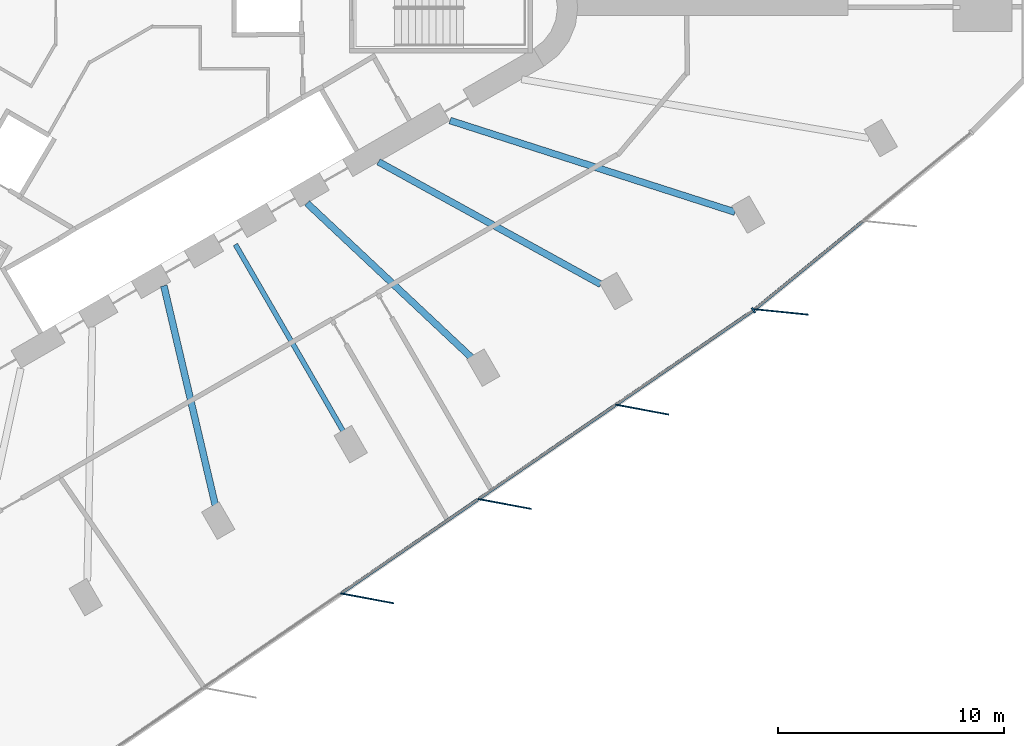
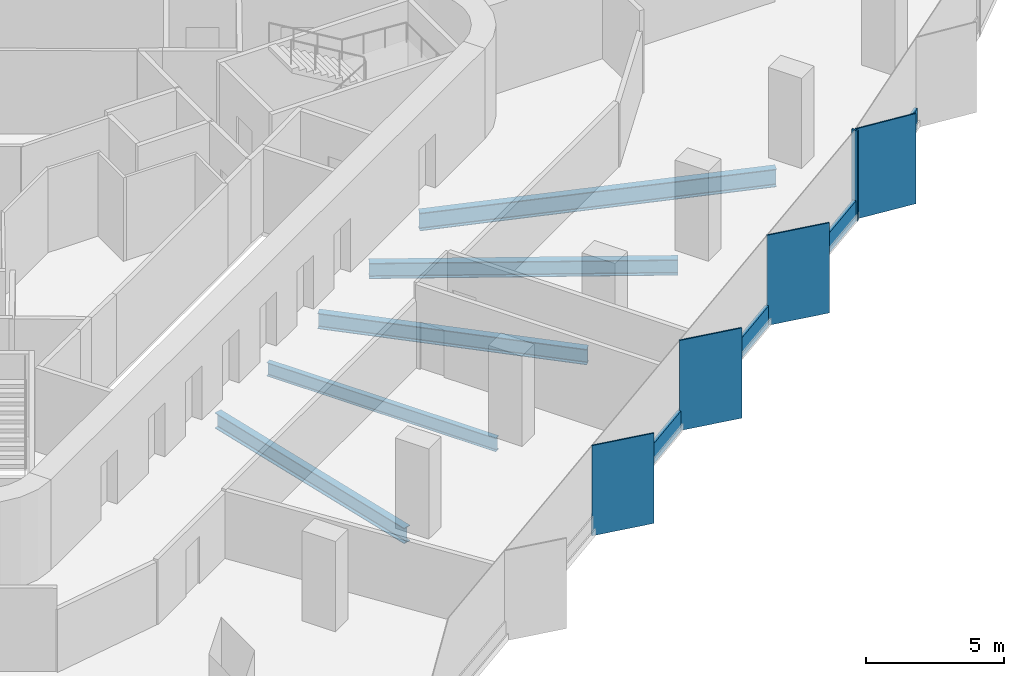
# One storey, part 3 of 13: 9 members, 5 beams, 2 elements without a shape of their own.
"""IFC4 building model written with IfcOpenShell, lengths in metres."""

from ifc_helpers import new_model, si_unit, direction, frame, origin, origin_2d, place, context, subcontext, project, spatial, rectangle, i_section, extrude, material, material_profile, profile_set, type_object, element, aggregate, save


model = new_model("IFC4")

# Units and contexts
model_context = context("Model", 3, precision=1e-05, world=origin(), true_north=direction((0.0, 1.0)))
body_context = subcontext(model_context, "Body", "Model", "MODEL_VIEW")
ifc_project = project(units=[si_unit("LENGTHUNIT", "METRE"), si_unit("AREAUNIT", "SQUARE_METRE"), si_unit("VOLUMEUNIT", "CUBIC_METRE"), si_unit("PLANEANGLEUNIT", "RADIAN"), si_unit("MASSUNIT", "GRAM", prefix="KILO")], contexts=[model_context])

# Site, building, storey
site_placement = place(None, origin())
site = spatial("IfcSite", under=ifc_project, at=site_placement, CompositionType="ELEMENT")
building_placement = place(site_placement, origin())
building = spatial("IfcBuilding", under=site, at=building_placement, Name="Tanit Gate Tower", CompositionType="ELEMENT")
storey_placement = place(building_placement, frame((0.0, 0.0, 193.199951171875)))
storey = spatial("IfcBuildingStorey", under=building, at=storey_placement, Name="L42", CompositionType="ELEMENT", Elevation=193.199951171875)

# Curtain wall, members
ifc_material_1 = material(Name="Aluminium bronze anodised and glass", Category="aluminium")
curtain_wall_type = type_object("IfcCurtainWallType", Name="Curtain wall typical mid", PredefinedType="NOTDEFINED", material=ifc_material_1)
curtain_wall_1_placement = place(storey_placement, origin())
curtain_wall_1 = element("IfcCurtainWall", 1, at=curtain_wall_1_placement, inside=storey, type_object=curtain_wall_type, Name="Curtain wall L42 SE2", PredefinedType="NOTDEFINED")
ifc_material_2 = material(Name="Aluminium bronze anodised", Category="aluminium")
ifc_material_profile_1 = material_profile(ifc_material_2, rectangle(XDim=2.39990234375, YDim=0.055908203125, at=origin_2d()), Name="56x2400 bronze fin mullion")
ifc_profile_set_1 = profile_set([ifc_material_profile_1], Name="Aluminium bronze anodised")
member_type_1 = type_object("IfcMemberType", Name="FIN MULLION 56x2400 bronze", PredefinedType="MULLION", material=ifc_profile_set_1)
member_1_placement = place(storey_placement, frame((11.880126953125, -26.1376953125, -0.300048828125), z_axis=(0.0, 0.0, 1.0), x_axis=(-0.983141287785, 0.182847499991, 0.0)))
member_1 = element("IfcMember", 2, at=member_1_placement, type_object=member_type_1, Name="Fin mullion L42 SE2.3", PredefinedType="MULLION", context=body_context, shape_type="SweptSolid", body=[
    extrude(rectangle(XDim=2.39990234375, YDim=0.055908203125, at=origin_2d()), origin(), (0.0, 0.0, 1.0), 4.0),
])
member_2_placement = place(storey_placement, frame((17.9638671875, -21.962158203125, -0.300048828125), z_axis=(0.0, 0.0, 1.0), x_axis=(-0.983141287785, 0.182847499991, 0.0)))
member_2 = element("IfcMember", 3, at=member_2_placement, type_object=member_type_1, Name="Fin mullion L42 SE2.4", PredefinedType="MULLION", context=body_context, shape_type="SweptSolid", body=[
    extrude(rectangle(XDim=2.39990234375, YDim=0.055908203125, at=origin_2d()), origin(), (0.0, 0.0, 1.0), 4.0),
])
member_3_placement = place(storey_placement, frame((24.047607421875, -17.78662109375, -0.300048828125), z_axis=(0.0, 0.0, 1.0), x_axis=(-0.983141287785, 0.182847499991, 0.0)))
member_3 = element("IfcMember", 4, at=member_3_placement, type_object=member_type_1, Name="Fin mullion L42 SE2.5", PredefinedType="MULLION", context=body_context, shape_type="SweptSolid", body=[
    extrude(rectangle(XDim=2.39990234375, YDim=0.055908203125, at=origin_2d()), origin(), (0.0, 0.0, 1.0), 4.0),
])

# Curtain wall, member
curtain_wall_2_placement = place(storey_placement, origin())
curtain_wall_2 = element("IfcCurtainWall", 5, at=curtain_wall_2_placement, inside=storey, type_object=curtain_wall_type, Name="Curtain wall L42 SE3", PredefinedType="NOTDEFINED")
member_4_placement = place(storey_placement, frame((30.208984375, -13.466064453125, -0.300048828125), z_axis=(0.0, 0.0, 1.0), x_axis=(-0.994923483617, 0.10063429707, 0.0)))
member_4 = element("IfcMember", 6, at=member_4_placement, type_object=member_type_1, Name="Fin mullion L42 SE3.1", PredefinedType="MULLION", context=body_context, shape_type="SweptSolid", body=[
    extrude(rectangle(XDim=2.39990234375, YDim=0.055908203125, at=origin_2d()), origin(), (0.0, 0.0, 1.0), 4.0),
])

# Member
ifc_material_3 = material(Name="Aluminium bronze anodised", Category="aluminium")
ifc_material_profile_2 = material_profile(ifc_material_3, rectangle(XDim=0.260009765625, YDim=0.080078125, at=origin_2d()), Name="80x260 bronze mullion")
ifc_profile_set_2 = profile_set([ifc_material_profile_2], Name="Aluminium bronze anodised")
member_type_2 = type_object("IfcMemberType", Name="Mullion 80x260 typical mid", PredefinedType="MULLION", material=ifc_profile_set_2)
member_5_placement = place(storey_placement, frame((28.972412109375, -13.3955078125, -0.300048828125), z_axis=(0.0, 0.0, 1.0), x_axis=(-0.56589316429, 0.824478578624, 0.0)))
member_5 = element("IfcMember", 7, at=member_5_placement, type_object=member_type_2, Name="Mullion L42 SE2.6", PredefinedType="MULLION", context=body_context, shape_type="SweptSolid", body=[
    extrude(rectangle(XDim=0.260009765625, YDim=0.080078125, at=origin_2d()), origin(), (0.0, 0.0, 1.0), 4.0),
])

# Beams
ifc_material_4 = material(Name="Steel S355", Category="steel")
ifc_material_profile_3 = material_profile(ifc_material_4, i_section(OverallWidth=0.300048828125, OverallDepth=0.68994140625, WebThickness=0.014404296875, FlangeThickness=0.027099609375, FilletRadius=0.027099609375, at=origin_2d()), Name="HEA 700")
ifc_profile_set_3 = profile_set([ifc_material_profile_3], Name="Steel S355")
beam_type_1 = type_object("IfcBeamType", Name="RADIAL GIRDER HEA 700 S355", PredefinedType="BEAM", material=ifc_profile_set_3)
for number, where, z_axis, x_axis, name in (
    (8, (5.176513671875, -22.085205078125, -0.64501953125), (-0.228201765942, 0.973613862895, 0.0), (-0.973613862895, -0.228201765942, 0.0), "RADIAL GIRDER"),
    (9, (16.5380859375, -15.525634765625, -0.64501953125), (-0.72907377567, 0.684435117181, 0.0), (-0.684435117181, -0.72907377567, 0.0), "RADIAL GIRDER"),
):
    element("IfcBeam", number, at=place(storey_placement, frame(where, z_axis=z_axis, x_axis=x_axis)), inside=storey, type_object=beam_type_1, Name=name, PredefinedType="BEAM", context=body_context, shape_type="SweptSolid", body=[
        extrude(i_section(OverallWidth=0.300048828125, OverallDepth=0.68994140625, WebThickness=0.014404296875, FlangeThickness=0.027099609375, FilletRadius=0.027099609375, at=origin_2d()), origin(), (0.0, 0.0, 1.0), 10.04150390625),
    ])
beam_1_placement = place(storey_placement, frame((22.21875, -12.245849609375, -0.64501953125), z_axis=(-0.875791934308, 0.482688810519, 0.0), x_axis=(-0.482688810519, -0.875791934308, 0.0)))
element("IfcBeam", 10, at=beam_1_placement, inside=storey, type_object=beam_type_1, Name="RADIAL GIRDER", PredefinedType="BEAM", context=body_context, shape_type="SweptSolid", body=[
    extrude(i_section(OverallWidth=0.300048828125, OverallDepth=0.68994140625, WebThickness=0.014404296875, FlangeThickness=0.027099609375, FilletRadius=0.027099609375, at=origin_2d()), origin(), (0.0, 0.0, 1.0), 11.230712890625),
])
ifc_material_5 = material(Name="Steel S355", Category="steel")
ifc_material_profile_4 = material_profile(ifc_material_5, i_section(OverallWidth=0.300048828125, OverallDepth=0.7900390625, WebThickness=0.014892578125, FlangeThickness=0.028076171875, FilletRadius=0.030029296875, at=origin_2d()), Name="HEA 800")
ifc_profile_set_4 = profile_set([ifc_material_profile_4], Name="Steel S355")
beam_type_2 = type_object("IfcBeamType", Name="RADIAL GIRDER HEA 800 S355", PredefinedType="BEAM", material=ifc_profile_set_4)
beam_2_placement = place(storey_placement, frame((28.160888671875, -9.05029296875, -0.695068359375), z_axis=(-0.952041216239, 0.305969806651, 0.0), x_axis=(-0.305969806651, -0.952041216239, 0.0)))
element("IfcBeam", 11, at=beam_2_placement, inside=storey, type_object=beam_type_2, Name="RADIAL GIRDER", PredefinedType="BEAM", context=body_context, shape_type="SweptSolid", body=[
    extrude(i_section(OverallWidth=0.300048828125, OverallDepth=0.7900390625, WebThickness=0.014892578125, FlangeThickness=0.028076171875, FilletRadius=0.030029296875, at=origin_2d()), origin(), (0.0, 0.0, 1.0), 13.2470703125),
])
ifc_material_6 = material(Name="Steel S355", Category="steel")
ifc_material_profile_5 = material_profile(ifc_material_6, i_section(OverallWidth=0.219970703125, OverallDepth=0.60009765625, WebThickness=0.011962890625, FlangeThickness=0.01904296875, FilletRadius=0.02392578125, at=origin_2d()), Name="IPE 600")
ifc_profile_set_5 = profile_set([ifc_material_profile_5], Name="Steel S355")
beam_type_3 = type_object("IfcBeamType", Name="RADIAL GIRDER IPE 600 S355", PredefinedType="BEAM", material=ifc_profile_set_5)
beam_3_placement = place(storey_placement, frame((10.857421875, -18.805419921875, -0.599853515625), z_axis=(-0.500009724617, 0.866019789201, 0.0), x_axis=(-0.866019789201, -0.500009724617, 0.0)))
element("IfcBeam", 12, at=beam_3_placement, inside=storey, type_object=beam_type_3, Name="RADIAL GIRDER", PredefinedType="BEAM", context=body_context, shape_type="SweptSolid", body=[
    extrude(i_section(OverallWidth=0.219970703125, OverallDepth=0.60009765625, WebThickness=0.011962890625, FlangeThickness=0.01904296875, FilletRadius=0.02392578125, at=origin_2d()), origin(), (0.0, 0.0, 1.0), 9.612548828125),
])

# Member
ifc_material_7 = material(Name="Aluminium bronze anodised", Category="aluminium")
ifc_material_profile_6 = material_profile(ifc_material_7, rectangle(XDim=0.139892578125, YDim=0.89990234375, at=origin_2d()), Name="140x900 bronze transom")
ifc_profile_set_6 = profile_set([ifc_material_profile_6], Name="Aluminium bronze anodised")
member_type_3 = type_object("IfcMemberType", Name="Transom 140x900 typical mid", PredefinedType="USERDEFINED", material=ifc_profile_set_6)
member_6_placement = place(storey_placement, frame((10.75439453125, -25.899658203125, 0.150146484375), z_axis=(0.824471122794, 0.565904026916, 0.0), x_axis=(-0.565904026916, 0.824471122794, 0.0)))
member_6 = element("IfcMember", 13, at=member_6_placement, type_object=member_type_3, Name="Transom L42 SE2.3", ObjectType="TRANSOM", PredefinedType="USERDEFINED", context=body_context, shape_type="SweptSolid", body=[
    extrude(rectangle(XDim=0.139892578125, YDim=0.89990234375, at=origin_2d()), origin(), (0.0, 0.0, 1.0), 7.298828125),
])

member_7_placement = place(storey_placement, frame((16.837890625, -21.723876953125, 0.150146484375), z_axis=(0.824497440623, 0.565865682301, 0.0), x_axis=(-0.565865682301, 0.824497440623, 0.0)))
member_7 = element("IfcMember", 14, at=member_7_placement, type_object=member_type_3, Name="Transom L42 SE2.4", ObjectType="TRANSOM", PredefinedType="USERDEFINED", context=body_context, shape_type="SweptSolid", body=[
    extrude(rectangle(XDim=0.139892578125, YDim=0.89990234375, at=origin_2d()), origin(), (0.0, 0.0, 1.0), 7.298828125),
])

member_8_placement = place(storey_placement, frame((22.921630859375, -17.54833984375, 0.150146484375), z_axis=(0.824481834567, 0.565888420512, 0.0), x_axis=(-0.565888420512, 0.824481834567, 0.0)))
member_8 = element("IfcMember", 15, at=member_8_placement, type_object=member_type_3, Name="Transom L42 SE2.5", ObjectType="TRANSOM", PredefinedType="USERDEFINED", context=body_context, shape_type="SweptSolid", body=[
    extrude(rectangle(XDim=0.139892578125, YDim=0.89990234375, at=origin_2d()), origin(), (0.0, 0.0, 1.0), 7.298828125),
])

aggregate(curtain_wall_1, [member_1, member_2, member_3, member_5, member_6, member_7, member_8])

member_9_placement = place(storey_placement, frame((29.0673828125, -13.322265625, 0.150146484375), z_axis=(0.774653602637, 0.632385796742, 0.0), x_axis=(-0.632385796742, 0.774653602637, 0.0)))
member_9 = element("IfcMember", 16, at=member_9_placement, type_object=member_type_3, Name="Transom L42 SE3.1", ObjectType="TRANSOM", PredefinedType="USERDEFINED", context=body_context, shape_type="SweptSolid", body=[
    extrude(rectangle(XDim=0.139892578125, YDim=0.89990234375, at=origin_2d()), origin(), (0.0, 0.0, 1.0), 6.10400390625),
])

aggregate(curtain_wall_2, [member_4, member_9])

save(model, "model.ifc")
